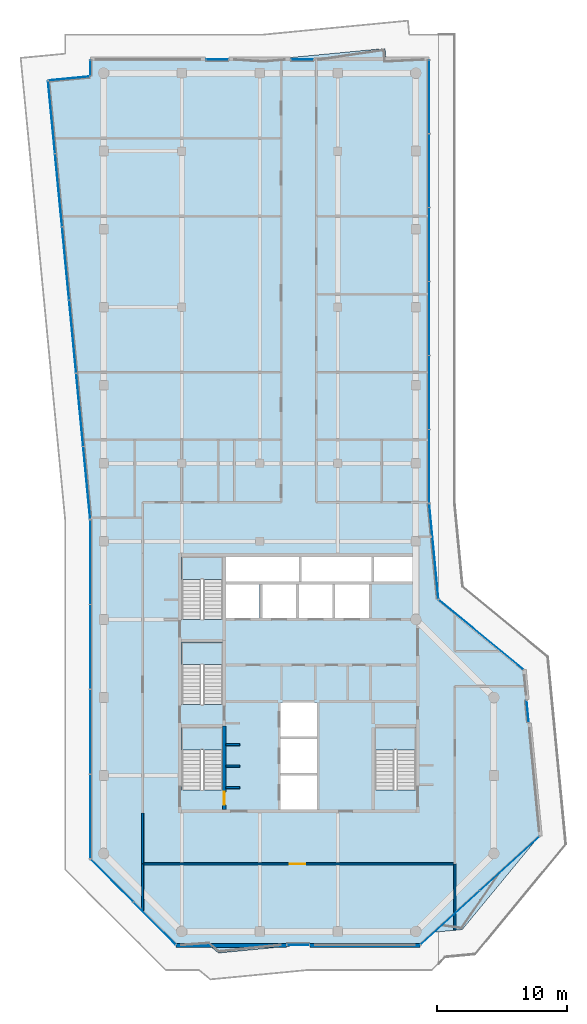
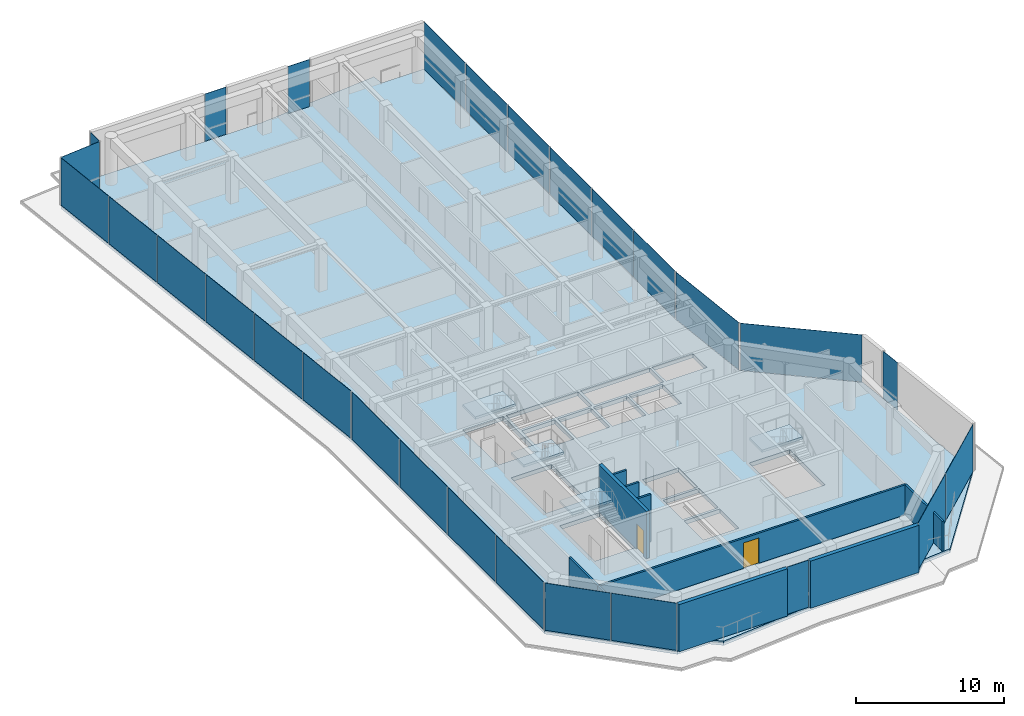
# One storey, part 17 of 22: 28 plates, 10 walls, 5 slabs, 2 doors, 2 openings, 17 elements without a shape of their own.
"""IFC4 building model written with IfcOpenShell, lengths in metres."""

from ifc_helpers import new_model, si_unit, direction, frame, frame_2d, origin, origin_2d, place, context, subcontext, project, spatial, polyline, rectangle, outline, extrude, material, layer, layer_set, type_object, element, fill, aggregate, save


model = new_model("IFC4")

# Units and contexts
model_context = context("Model", 3, precision=1e-05, world=origin(), true_north=direction((0.0, 1.0)))
body_context = subcontext(model_context, "Body", "Model", "MODEL_VIEW")
ifc_project = project(units=[si_unit("LENGTHUNIT", "METRE"), si_unit("AREAUNIT", "SQUARE_METRE"), si_unit("VOLUMEUNIT", "CUBIC_METRE"), si_unit("PLANEANGLEUNIT", "RADIAN"), si_unit("MASSUNIT", "GRAM", prefix="KILO")], contexts=[model_context])

# Site, building, storey
site_placement = place(None, origin())
site = spatial("IfcSite", under=ifc_project, at=site_placement, CompositionType="ELEMENT")
building_placement = place(site_placement, origin())
building = spatial("IfcBuilding", under=site, at=building_placement, Name="Welwitschia Terrace Campus", CompositionType="ELEMENT")
storey_placement = place(building_placement, frame((0.0, 0.0, 310.39990234375)))
storey = spatial("IfcBuildingStorey", under=building, at=storey_placement, Name="L69", CompositionType="ELEMENT", Elevation=310.39990234375)

# Curtain wall, plates
ifc_material_1 = material(Name="Bronze anodised aluminium", Category="aluminium")
ifc_layer_1 = layer(ifc_material_1, 0.1201171875)
ifc_layer_set_1 = layer_set([ifc_layer_1], Name="Bronze anodised aluminium")
curtain_wall_type = type_object("IfcCurtainWallType", Name="Curtain wall CW2 tower 6000", PredefinedType="NOTDEFINED", material=ifc_layer_set_1)
curtain_wall_1_placement = place(storey_placement, origin())
curtain_wall_1 = element("IfcCurtainWall", 1, at=curtain_wall_1_placement, inside=storey, type_object=curtain_wall_type, Name="CW L69.0.0", PredefinedType="NOTDEFINED")
ifc_material_2 = material(Name="Tinted bronze-grey glass", Category="glass")
ifc_layer_2 = layer(ifc_material_2, 0.028076171875)
ifc_layer_set_2 = layer_set([ifc_layer_2], Name="Tinted bronze-grey glass")
plate_type = type_object("IfcPlateType", Name="Glass panel 28 tinted", PredefinedType="CURTAIN_PANEL", material=ifc_layer_set_2)
plate_1_placement = place(storey_placement, frame((-1.030029296875, 24.390625, 0.000244140625), z_axis=(0.0, 0.0, 1.0), x_axis=(0.0, -1.0, 0.0)))
plate_1 = element("IfcPlate", 2, at=plate_1_placement, type_object=plate_type, Name="Panel L69.0.0.0", PredefinedType="CURTAIN_PANEL", context=body_context, shape_type="SweptSolid", body=[
    extrude(rectangle(XDim=6.43359375, YDim=0.028076171875, at=origin_2d()), origin(), (0.0, 0.0, 1.0), 3.89990234375),
])
plate_2_placement = place(storey_placement, frame((-1.030029296875, 17.882080078125, 0.000244140625), z_axis=(0.0, 0.0, 1.0), x_axis=(0.0, -1.0, 0.0)))
plate_2 = element("IfcPlate", 3, at=plate_2_placement, type_object=plate_type, Name="Panel L69.0.0.1", PredefinedType="CURTAIN_PANEL", context=body_context, shape_type="SweptSolid", body=[
    extrude(rectangle(XDim=6.463623046875, YDim=0.028076171875, at=origin_2d()), origin(), (0.0, 0.0, 1.0), 3.89990234375),
])
plate_3_placement = place(storey_placement, frame((-1.030029296875, 11.358642578125, 0.000244140625), z_axis=(0.0, 0.0, 1.0), x_axis=(0.0, -1.0, 0.0)))
plate_3 = element("IfcPlate", 4, at=plate_3_placement, type_object=plate_type, Name="Panel L69.0.0.2", PredefinedType="CURTAIN_PANEL", context=body_context, shape_type="SweptSolid", body=[
    extrude(rectangle(XDim=6.463623046875, YDim=0.028076171875, at=origin_2d()), origin(), (0.0, 0.0, 1.0), 3.89990234375),
])
plate_4_placement = place(storey_placement, frame((-1.030029296875, 4.85009765625, 0.000244140625), z_axis=(0.0, 0.0, 1.0), x_axis=(0.0, -1.0, 0.0)))
plate_4 = element("IfcPlate", 5, at=plate_4_placement, type_object=plate_type, Name="Panel L69.0.0.3", PredefinedType="CURTAIN_PANEL", context=body_context, shape_type="SweptSolid", body=[
    extrude(rectangle(XDim=6.43359375, YDim=0.028076171875, at=origin_2d()), origin(), (0.0, 0.0, 1.0), 3.89990234375),
])
aggregate(curtain_wall_1, [plate_1, plate_2, plate_3, plate_4])

curtain_wall_2_placement = place(storey_placement, origin())
curtain_wall_2 = element("IfcCurtainWall", 6, at=curtain_wall_2_placement, inside=storey, type_object=curtain_wall_type, Name="CW L69.1.0", PredefinedType="NOTDEFINED")
plate_5_placement = place(storey_placement, frame((0.63134765625, -0.088134765625, 0.000244140625), z_axis=(0.0, 0.0, 1.0), x_axis=(0.707106781187, -0.707106781187, 0.0)))
plate_5 = element("IfcPlate", 7, at=plate_5_placement, type_object=plate_type, Name="Panel L69.1.0.0", PredefinedType="CURTAIN_PANEL", context=body_context, shape_type="SweptSolid", body=[
    extrude(rectangle(XDim=4.579345703125, YDim=0.028076171875, at=origin_2d()), origin(), (0.0, 0.0, 1.0), 3.89990234375),
])
plate_6_placement = place(storey_placement, frame((3.911865234375, -3.36865234375, 0.000244140625), z_axis=(0.0, 0.0, 1.0), x_axis=(0.707106781187, -0.707106781187, 0.0)))
plate_6 = element("IfcPlate", 8, at=plate_6_placement, type_object=plate_type, Name="Panel L69.1.0.1", PredefinedType="CURTAIN_PANEL", context=body_context, shape_type="SweptSolid", body=[
    extrude(rectangle(XDim=4.579345703125, YDim=0.028076171875, at=origin_2d()), origin(), (0.0, 0.0, 1.0), 3.89990234375),
])
aggregate(curtain_wall_2, [plate_5, plate_6])

# Curtain wall, plate
curtain_wall_3_placement = place(storey_placement, origin())
curtain_wall_3 = element("IfcCurtainWall", 9, at=curtain_wall_3_placement, inside=storey, type_object=curtain_wall_type, Name="CW L69.2.S0", PredefinedType="NOTDEFINED")
plate_7_placement = place(storey_placement, frame((14.953369140625, -5.030029296875, 0.000244140625), z_axis=(0.0, 0.0, 1.0), x_axis=(1.0, 0.0, 0.0)))
plate_7 = element("IfcPlate", 10, at=plate_7_placement, type_object=plate_type, Name="Panel L69.2.S0.0", PredefinedType="CURTAIN_PANEL", context=body_context, shape_type="SweptSolid", body=[
    extrude(rectangle(XDim=1.679931640625, YDim=0.028076171875, at=origin_2d()), origin(), (0.0, 0.0, 1.0), 3.89990234375),
])
aggregate(curtain_wall_3, [plate_7])

# Curtain wall, plates
curtain_wall_4_placement = place(storey_placement, origin())
curtain_wall_4 = element("IfcCurtainWall", 11, at=curtain_wall_4_placement, inside=storey, type_object=curtain_wall_type, Name="CW L69.3.0", PredefinedType="NOTDEFINED")
plate_8_placement = place(storey_placement, frame((26.6416015625, -2.929443359375, 0.000244140625), z_axis=(0.0, 0.0, 1.0), x_axis=(0.739585904921, 0.673062173385, 0.0)))
plate_8 = element("IfcPlate", 12, at=plate_8_placement, type_object=plate_type, Name="Panel L69.3.0.0", PredefinedType="CURTAIN_PANEL", context=body_context, shape_type="SweptSolid", body=[
    extrude(rectangle(XDim=6.12158203125, YDim=0.028076171875, at=origin_2d()), origin(), (0.0, 0.0, 1.0), 3.89990234375),
])
plate_9_placement = place(storey_placement, frame((31.21337890625, 1.231201171875, 0.000244140625), z_axis=(0.0, 0.0, 1.0), x_axis=(0.739585904921, 0.673062173385, 0.0)))
plate_9 = element("IfcPlate", 13, at=plate_9_placement, type_object=plate_type, Name="Panel L69.3.0.1", PredefinedType="CURTAIN_PANEL", context=body_context, shape_type="SweptSolid", body=[
    extrude(rectangle(XDim=6.12158203125, YDim=0.028076171875, at=origin_2d()), origin(), (0.0, 0.0, 1.0), 3.89990234375),
])
aggregate(curtain_wall_4, [plate_8, plate_9])

# Curtain wall, plate
curtain_wall_5_placement = place(storey_placement, origin())
curtain_wall_5 = element("IfcCurtainWall", 14, at=curtain_wall_5_placement, inside=storey, type_object=curtain_wall_type, Name="CW L69.4.S0", PredefinedType="NOTDEFINED")
plate_10_placement = place(storey_placement, frame((32.59765625, 12.92724609375, 0.000244140625), z_axis=(0.0, 0.0, 1.0), x_axis=(-0.09584575252, 0.995396198367, 0.0)))
plate_10 = element("IfcPlate", 15, at=plate_10_placement, type_object=plate_type, Name="Panel L69.4.S0.0", PredefinedType="CURTAIN_PANEL", context=body_context, shape_type="SweptSolid", body=[
    extrude(rectangle(XDim=1.679931640625, YDim=0.028076171875, at=origin_2d()), origin(), (0.0, 0.0, 1.0), 3.89990234375),
])
aggregate(curtain_wall_5, [plate_10])

curtain_wall_6_placement = place(storey_placement, origin())
curtain_wall_6 = element("IfcCurtainWall", 16, at=curtain_wall_6_placement, inside=storey, type_object=curtain_wall_type, Name="CW L69.5.0", PredefinedType="NOTDEFINED")
plate_11_placement = place(storey_placement, frame((29.015869140625, 18.824462890625, 0.000244140625), z_axis=(0.0, 0.0, 1.0), x_axis=(-0.771624583388, 0.636078220278, 0.0)))
plate_11 = element("IfcPlate", 17, at=plate_11_placement, type_object=plate_type, Name="Panel L69.5.0.0", PredefinedType="CURTAIN_PANEL", context=body_context, shape_type="SweptSolid", body=[
    extrude(rectangle(XDim=8.365234375, YDim=0.028076171875, at=origin_2d()), origin(), (0.0, 0.0, 1.0), 3.89990234375),
])
aggregate(curtain_wall_6, [plate_11])

curtain_wall_7_placement = place(storey_placement, origin())
curtain_wall_7 = element("IfcCurtainWall", 18, at=curtain_wall_7_placement, inside=storey, type_object=curtain_wall_type, Name="CW L69.6.0", PredefinedType="NOTDEFINED")
plate_12_placement = place(storey_placement, frame((25.385986328125, 25.22119140625, 0.000244140625), z_axis=(0.0, 0.0, 1.0), x_axis=(-0.09584575252, 0.995396198367, 0.0)))
plate_12 = element("IfcPlate", 19, at=plate_12_placement, type_object=plate_type, Name="Panel L69.6.0.0", PredefinedType="CURTAIN_PANEL", context=body_context, shape_type="SweptSolid", body=[
    extrude(rectangle(XDim=7.310302734375, YDim=0.028076171875, at=origin_2d()), origin(), (0.0, 0.0, 1.0), 3.89990234375),
])
aggregate(curtain_wall_7, [plate_12])

# Curtain wall, plates
curtain_wall_8_placement = place(storey_placement, origin())
curtain_wall_8 = element("IfcCurtainWall", 20, at=curtain_wall_8_placement, inside=storey, type_object=curtain_wall_type, Name="CW L69.7.0", PredefinedType="NOTDEFINED")
plate_13_placement = place(storey_placement, frame((25.030029296875, 31.77685546875, 0.000244140625), z_axis=(0.0, 0.0, 1.0), x_axis=(0.0, 1.0, 0.0)))
plate_13 = element("IfcPlate", 21, at=plate_13_placement, type_object=plate_type, Name="Panel L69.7.0.0", PredefinedType="CURTAIN_PANEL", context=body_context, shape_type="SweptSolid", body=[
    extrude(rectangle(XDim=5.59521484375, YDim=0.028076171875, at=origin_2d()), origin(), (0.0, 0.0, 1.0), 3.89990234375),
])
plate_14_placement = place(storey_placement, frame((25.030029296875, 37.447021484375, 0.000244140625), z_axis=(0.0, 0.0, 1.0), x_axis=(0.0, 1.0, 0.0)))
plate_14 = element("IfcPlate", 22, at=plate_14_placement, type_object=plate_type, Name="Panel L69.7.0.1", PredefinedType="CURTAIN_PANEL", context=body_context, shape_type="SweptSolid", body=[
    extrude(rectangle(XDim=5.625244140625, YDim=0.028076171875, at=origin_2d()), origin(), (0.0, 0.0, 1.0), 3.89990234375),
])
plate_15_placement = place(storey_placement, frame((25.030029296875, 43.132080078125, 0.000244140625), z_axis=(0.0, 0.0, 1.0), x_axis=(0.0, 1.0, 0.0)))
plate_15 = element("IfcPlate", 23, at=plate_15_placement, type_object=plate_type, Name="Panel L69.7.0.2", PredefinedType="CURTAIN_PANEL", context=body_context, shape_type="SweptSolid", body=[
    extrude(rectangle(XDim=5.625244140625, YDim=0.028076171875, at=origin_2d()), origin(), (0.0, 0.0, 1.0), 3.89990234375),
])
plate_16_placement = place(storey_placement, frame((25.030029296875, 48.817138671875, 0.000244140625), z_axis=(0.0, 0.0, 1.0), x_axis=(0.0, 1.0, 0.0)))
plate_16 = element("IfcPlate", 24, at=plate_16_placement, type_object=plate_type, Name="Panel L69.7.0.3", PredefinedType="CURTAIN_PANEL", context=body_context, shape_type="SweptSolid", body=[
    extrude(rectangle(XDim=5.625244140625, YDim=0.028076171875, at=origin_2d()), origin(), (0.0, 0.0, 1.0), 3.89990234375),
])
plate_17_placement = place(storey_placement, frame((25.030029296875, 54.502197265625, 0.000244140625), z_axis=(0.0, 0.0, 1.0), x_axis=(0.0, 1.0, 0.0)))
plate_17 = element("IfcPlate", 25, at=plate_17_placement, type_object=plate_type, Name="Panel L69.7.0.4", PredefinedType="CURTAIN_PANEL", context=body_context, shape_type="SweptSolid", body=[
    extrude(rectangle(XDim=5.625244140625, YDim=0.028076171875, at=origin_2d()), origin(), (0.0, 0.0, 1.0), 3.89990234375),
])
plate_18_placement = place(storey_placement, frame((25.030029296875, 60.17236328125, 0.000244140625), z_axis=(0.0, 0.0, 1.0), x_axis=(0.0, 1.0, 0.0)))
plate_18 = element("IfcPlate", 26, at=plate_18_placement, type_object=plate_type, Name="Panel L69.7.0.5", PredefinedType="CURTAIN_PANEL", context=body_context, shape_type="SweptSolid", body=[
    extrude(rectangle(XDim=5.59521484375, YDim=0.028076171875, at=origin_2d()), origin(), (0.0, 0.0, 1.0), 3.89990234375),
])
aggregate(curtain_wall_8, [plate_13, plate_14, plate_15, plate_16, plate_17, plate_18])

# Curtain wall, plate
curtain_wall_9_placement = place(storey_placement, origin())
curtain_wall_9 = element("IfcCurtainWall", 27, at=curtain_wall_9_placement, inside=storey, type_object=curtain_wall_type, Name="CW L69.8.S0", PredefinedType="NOTDEFINED")
plate_19_placement = place(storey_placement, frame((15.257568359375, 63.030029296875, 0.000244140625), z_axis=(0.0, 0.0, 1.0), x_axis=(-1.0, 0.0, 0.0)))
plate_19 = element("IfcPlate", 28, at=plate_19_placement, type_object=plate_type, Name="Panel L69.8.S0.0", PredefinedType="CURTAIN_PANEL", context=body_context, shape_type="SweptSolid", body=[
    extrude(rectangle(XDim=1.679931640625, YDim=0.028076171875, at=origin_2d()), origin(), (0.0, 0.0, 1.0), 3.89990234375),
])
aggregate(curtain_wall_9, [plate_19])

curtain_wall_10_placement = place(storey_placement, origin())
curtain_wall_10 = element("IfcCurtainWall", 29, at=curtain_wall_10_placement, inside=storey, type_object=curtain_wall_type, Name="CW L69.8.S1", PredefinedType="NOTDEFINED")
plate_20_placement = place(storey_placement, frame((8.742431640625, 63.030029296875, 0.000244140625), z_axis=(0.0, 0.0, 1.0), x_axis=(-1.0, 0.0, 0.0)))
plate_20 = element("IfcPlate", 30, at=plate_20_placement, type_object=plate_type, Name="Panel L69.8.S1.0", PredefinedType="CURTAIN_PANEL", context=body_context, shape_type="SweptSolid", body=[
    extrude(rectangle(XDim=1.679931640625, YDim=0.028076171875, at=origin_2d()), origin(), (0.0, 0.0, 1.0), 3.89990234375),
])
aggregate(curtain_wall_10, [plate_20])

curtain_wall_11_placement = place(storey_placement, origin())
curtain_wall_11 = element("IfcCurtainWall", 31, at=curtain_wall_11_placement, inside=storey, type_object=curtain_wall_type, Name="CW L69.9.0", PredefinedType="NOTDEFINED")
plate_21_placement = place(storey_placement, frame((-1.030029296875, 62.3876953125, 0.000244140625), z_axis=(0.0, 0.0, 1.0), x_axis=(0.0, -1.0, 0.0)))
plate_21 = element("IfcPlate", 32, at=plate_21_placement, type_object=plate_type, Name="Panel L69.9.0.0", PredefinedType="CURTAIN_PANEL", context=body_context, shape_type="SweptSolid", body=[
    extrude(rectangle(XDim=1.164306640625, YDim=0.028076171875, at=origin_2d()), origin(), (0.0, 0.0, 1.0), 3.89990234375),
])
aggregate(curtain_wall_11, [plate_21])

curtain_wall_12_placement = place(storey_placement, origin())
curtain_wall_12 = element("IfcCurtainWall", 33, at=curtain_wall_12_placement, inside=storey, type_object=curtain_wall_type, Name="CW L69.10.0", PredefinedType="NOTDEFINED")
plate_22_placement = place(storey_placement, frame((-2.655517578125, 61.589111328125, 0.000244140625), z_axis=(0.0, 0.0, 1.0), x_axis=(-0.995396198367, -0.09584575252, 0.0)))
plate_22 = element("IfcPlate", 34, at=plate_22_placement, type_object=plate_type, Name="Panel L69.10.0.0", PredefinedType="CURTAIN_PANEL", context=body_context, shape_type="SweptSolid", body=[
    extrude(rectangle(XDim=3.146240234375, YDim=0.028076171875, at=origin_2d()), origin(), (0.0, 0.0, 1.0), 3.89990234375),
])
aggregate(curtain_wall_12, [plate_22])

# Curtain wall, plates
curtain_wall_13_placement = place(storey_placement, origin())
curtain_wall_13 = element("IfcCurtainWall", 35, at=curtain_wall_13_placement, inside=storey, type_object=curtain_wall_type, Name="CW L69.11.0", PredefinedType="NOTDEFINED")
plate_23_placement = place(storey_placement, frame((-4.0087890625, 58.603759765625, 0.000244140625), z_axis=(0.0, 0.0, 1.0), x_axis=(0.09584575252, -0.995396198367, 0.0)))
plate_23 = element("IfcPlate", 36, at=plate_23_placement, type_object=plate_type, Name="Panel L69.11.0.0", PredefinedType="CURTAIN_PANEL", context=body_context, shape_type="SweptSolid", body=[
    extrude(rectangle(XDim=5.5634765625, YDim=0.028076171875, at=origin_2d()), origin(), (0.0, 0.0, 1.0), 3.89990234375),
])
plate_24_placement = place(storey_placement, frame((-3.468505859375, 52.9912109375, 0.000244140625), z_axis=(0.0, 0.0, 1.0), x_axis=(0.09584575252, -0.995396198367, 0.0)))
plate_24 = element("IfcPlate", 37, at=plate_24_placement, type_object=plate_type, Name="Panel L69.11.0.1", PredefinedType="CURTAIN_PANEL", context=body_context, shape_type="SweptSolid", body=[
    extrude(rectangle(XDim=5.593505859375, YDim=0.028076171875, at=origin_2d()), origin(), (0.0, 0.0, 1.0), 3.89990234375),
])
plate_25_placement = place(storey_placement, frame((-2.926513671875, 47.36376953125, 0.000244140625), z_axis=(0.0, 0.0, 1.0), x_axis=(0.09584575252, -0.995396198367, 0.0)))
plate_25 = element("IfcPlate", 38, at=plate_25_placement, type_object=plate_type, Name="Panel L69.11.0.2", PredefinedType="CURTAIN_PANEL", context=body_context, shape_type="SweptSolid", body=[
    extrude(rectangle(XDim=5.593505859375, YDim=0.028076171875, at=origin_2d()), origin(), (0.0, 0.0, 1.0), 3.89990234375),
])
plate_26_placement = place(storey_placement, frame((-2.384765625, 41.736328125, 0.000244140625), z_axis=(0.0, 0.0, 1.0), x_axis=(0.09584575252, -0.995396198367, 0.0)))
plate_26 = element("IfcPlate", 39, at=plate_26_placement, type_object=plate_type, Name="Panel L69.11.0.3", PredefinedType="CURTAIN_PANEL", context=body_context, shape_type="SweptSolid", body=[
    extrude(rectangle(XDim=5.593505859375, YDim=0.028076171875, at=origin_2d()), origin(), (0.0, 0.0, 1.0), 3.89990234375),
])
plate_27_placement = place(storey_placement, frame((-1.8427734375, 36.108642578125, 0.000244140625), z_axis=(0.0, 0.0, 1.0), x_axis=(0.09584575252, -0.995396198367, 0.0)))
plate_27 = element("IfcPlate", 40, at=plate_27_placement, type_object=plate_type, Name="Panel L69.11.0.4", PredefinedType="CURTAIN_PANEL", context=body_context, shape_type="SweptSolid", body=[
    extrude(rectangle(XDim=5.593505859375, YDim=0.028076171875, at=origin_2d()), origin(), (0.0, 0.0, 1.0), 3.89990234375),
])
plate_28_placement = place(storey_placement, frame((-1.302490234375, 30.49609375, 0.000244140625), z_axis=(0.0, 0.0, 1.0), x_axis=(0.09584575252, -0.995396198367, 0.0)))
plate_28 = element("IfcPlate", 41, at=plate_28_placement, type_object=plate_type, Name="Panel L69.11.0.5", PredefinedType="CURTAIN_PANEL", context=body_context, shape_type="SweptSolid", body=[
    extrude(rectangle(XDim=5.5634765625, YDim=0.028076171875, at=origin_2d()), origin(), (0.0, 0.0, 1.0), 3.89990234375),
])
aggregate(curtain_wall_13, [plate_23, plate_24, plate_25, plate_26, plate_27, plate_28])

# Stair, slab
ifc_material_3 = material(Name="Concrete C40/50", Category="concrete")
stair_type = type_object("IfcStairType", Name="Stair 24R 175 W1500", PredefinedType="HALF_TURN_STAIR", material=ifc_material_3)
stair_1_placement = place(storey_placement, origin())
stair_1 = element("IfcStair", 42, at=stair_1_placement, inside=storey, type_object=stair_type, Name="L69 Exit stair S1", PredefinedType="HALF_TURN_STAIR")
ifc_material_4 = material(Name="Concrete C40/50", Category="concrete")
ifc_layer_3 = layer(ifc_material_4, 0.199951171875)
ifc_layer_set_3 = layer_set([ifc_layer_3], Name="Concrete C40/50")
slab_type_1 = type_object("IfcSlabType", Name="Stair landing RC", PredefinedType="LANDING", material=ifc_layer_set_3)
slab_1_placement = place(storey_placement, frame((0.0, 0.0, 1.900146484375)))
slab_1 = element("IfcSlab", 43, at=slab_1_placement, type_object=slab_type_1, Name="S1 landing 1", PredefinedType="LANDING", context=body_context, shape_type="SweptSolid", body=[
    extrude(outline(polyline([(9.14990234375, 9.97998046875), (9.14990234375, 11.699951171875), (6.0, 11.699951171875), (6.0, 9.97998046875), (9.14990234375, 9.97998046875)])), origin(), (0.0, 0.0, 1.0), 0.199951171875),
])
aggregate(stair_1, [slab_1])

stair_2_placement = place(storey_placement, origin())
stair_2 = element("IfcStair", 44, at=stair_2_placement, inside=storey, type_object=stair_type, Name="L69 Exit stair S3", PredefinedType="HALF_TURN_STAIR")
slab_2_placement = place(storey_placement, frame((0.0, 0.0, 1.900146484375)))
slab_2 = element("IfcSlab", 45, at=slab_2_placement, type_object=slab_type_1, Name="S3 landing 1", PredefinedType="LANDING", context=body_context, shape_type="SweptSolid", body=[
    extrude(outline(polyline([(9.14990234375, 16.530029296875), (9.14990234375, 18.25), (6.0, 18.25), (6.0, 16.530029296875), (9.14990234375, 16.530029296875)])), origin(), (0.0, 0.0, 1.0), 0.199951171875),
])
aggregate(stair_2, [slab_2])

stair_3_placement = place(storey_placement, origin())
stair_3 = element("IfcStair", 46, at=stair_3_placement, inside=storey, type_object=stair_type, Name="L69 Exit stair S4", PredefinedType="HALF_TURN_STAIR")
slab_3_placement = place(storey_placement, frame((0.0, 0.0, 1.900146484375)))
slab_3 = element("IfcSlab", 47, at=slab_3_placement, type_object=slab_type_1, Name="S4 landing 1", PredefinedType="LANDING", context=body_context, shape_type="SweptSolid", body=[
    extrude(outline(polyline([(9.14990234375, 23.080078125), (9.14990234375, 24.800048828125), (6.0, 24.800048828125), (6.0, 23.080078125), (9.14990234375, 23.080078125)])), origin(), (0.0, 0.0, 1.0), 0.199951171875),
])
aggregate(stair_3, [slab_3])

stair_4_placement = place(storey_placement, origin())
stair_4 = element("IfcStair", 48, at=stair_4_placement, inside=storey, type_object=stair_type, Name="L69 Exit stair S2", PredefinedType="HALF_TURN_STAIR")
slab_4_placement = place(storey_placement, frame((0.0, 0.0, 1.900146484375)))
slab_4 = element("IfcSlab", 49, at=slab_4_placement, type_object=slab_type_1, Name="S2 landing 1", PredefinedType="LANDING", context=body_context, shape_type="SweptSolid", body=[
    extrude(outline(polyline([(24.0, 9.97998046875), (24.0, 11.699951171875), (20.85009765625, 11.699951171875), (20.85009765625, 9.97998046875), (24.0, 9.97998046875)])), origin(), (0.0, 0.0, 1.0), 0.199951171875),
])
aggregate(stair_4, [slab_4])

# Slab
ifc_material_5 = material(Name="Concrete C40/50", Category="concrete")
ifc_layer_4 = layer(ifc_material_5, 0.35009765625)
ifc_layer_set_4 = layer_set([ifc_layer_4], Name="Concrete C40/50")
slab_type_2 = type_object("IfcSlabType", Name="Suspended floor slab 350", PredefinedType="FLOOR", material=ifc_layer_set_4)
slab_5_placement = place(storey_placement, frame((0.0, 0.0, -0.349853515625)))
element("IfcSlab", 50, at=slab_5_placement, inside=storey, type_object=slab_type_2, Name="Floor slab L69", PredefinedType="FLOOR", context=body_context, shape_type="SweptSolid", body=[
    extrude(outline(polyline([(-4.24853515625, 61.405517578125), (-1.0, 61.71826171875), (-1.0, 63.0), (12.310546875, 63.0), (21.6318359375, 63.8974609375), (21.71826171875, 63.0), (25.0, 63.0), (25.0, 28.917724609375), (25.71337890625, 21.5078125), (32.260986328125, 16.110595703125), (33.490478515625, 3.341064453125), (27.566162109375, -3.845458984375), (25.355712890625, -4.058349609375), (24.414306640625, -5.0), (15.57666015625, -5.0), (8.824462890625, -5.650146484375), (8.035888671875, -5.0), (5.585693359375, -5.0), (-1.0, 1.585693359375), (-1.0, 27.6689453125), (-4.24853515625, 61.405517578125)]), holes=[polyline([(13.60009765625, 8.0), (13.60009765625, 5.39990234375), (16.39990234375, 5.39990234375), (16.39990234375, 8.0), (13.60009765625, 8.0)]), polyline([(9.14990234375, 11.699951171875), (6.0, 11.699951171875), (6.0, 6.902099609375), (9.14990234375, 6.902099609375), (9.14990234375, 11.699951171875)]), polyline([(9.14990234375, 18.25), (6.0, 18.25), (6.0, 13.451904296875), (9.14990234375, 13.451904296875), (9.14990234375, 18.25)]), polyline([(12.0, 22.699951171875), (9.39990234375, 22.699951171875), (9.39990234375, 20.10009765625), (12.0, 20.10009765625), (12.0, 22.699951171875)]), polyline([(14.800048828125, 22.699951171875), (12.199951171875, 22.699951171875), (12.199951171875, 20.10009765625), (14.800048828125, 20.10009765625), (14.800048828125, 22.699951171875)]), polyline([(9.14990234375, 24.800048828125), (6.0, 24.800048828125), (6.0, 20.001953125), (9.14990234375, 20.001953125), (9.14990234375, 24.800048828125)]), polyline([(15.0, 24.800048828125), (9.39990234375, 24.800048828125), (9.39990234375, 22.89990234375), (15.0, 22.89990234375), (15.0, 24.800048828125)]), polyline([(20.85009765625, 11.699951171875), (20.85009765625, 6.902099609375), (24.0, 6.902099609375), (24.0, 11.699951171875), (20.85009765625, 11.699951171875)]), polyline([(16.39990234375, 10.800048828125), (13.60009765625, 10.800048828125), (13.60009765625, 8.199951171875), (16.39990234375, 8.199951171875), (16.39990234375, 10.800048828125)]), polyline([(16.39990234375, 13.60009765625), (13.60009765625, 13.60009765625), (13.60009765625, 11.0), (16.39990234375, 11.0), (16.39990234375, 13.60009765625)]), polyline([(17.60009765625, 22.699951171875), (15.0, 22.699951171875), (15.0, 20.10009765625), (17.60009765625, 20.10009765625), (17.60009765625, 22.699951171875)]), polyline([(20.39990234375, 22.699951171875), (17.800048828125, 22.699951171875), (17.800048828125, 20.10009765625), (20.39990234375, 20.10009765625), (20.39990234375, 22.699951171875)]), polyline([(20.60009765625, 24.800048828125), (15.199951171875, 24.800048828125), (15.199951171875, 22.89990234375), (20.60009765625, 22.89990234375), (20.60009765625, 24.800048828125)]), polyline([(24.0, 24.800048828125), (20.800048828125, 24.800048828125), (20.800048828125, 22.89990234375), (24.0, 22.89990234375), (24.0, 24.800048828125)])]), origin(), (0.0, 0.0, 1.0), 0.349853515625),
])

# Walls
ifc_material_6 = material(Name="Concrete C50/60", Category="concrete")
ifc_layer_5 = layer(ifc_material_6, 0.14990234375)
ifc_layer_set_5 = layer_set([ifc_layer_5], Name="Concrete C50/60")
wall_type_1 = type_object("IfcWallType", Name="Core wall 150 Concrete C50/60", PredefinedType="SHEAR", material=ifc_layer_set_5)
for number, where, z_axis, x_axis, name in (
    (51, (9.39990234375, 7.074951171875, 0.0), (0.0, 0.0, 1.0), (1.0, 0.0, 0.0), "Core wall"),
    (52, (9.39990234375, 8.72509765625, 0.0), (0.0, 0.0, 1.0), (1.0, 0.0, 0.0), "Core wall"),
    (53, (9.39990234375, 10.375, 0.0), (0.0, 0.0, 1.0), (1.0, 0.0, 0.0), "Core wall"),
):
    element("IfcWall", number, at=place(storey_placement, frame(where, z_axis=z_axis, x_axis=x_axis)), inside=storey, type_object=wall_type_1, Name=name, PredefinedType="SHEAR", context=body_context, shape_type="SweptSolid", body=[
        extrude(rectangle(XDim=1.050048828125, YDim=0.14990234375, at=frame_2d((0.52490234375, 0.0))), origin(), (0.0, 0.0, 1.0), 3.900146484375),
    ])

# Wall, opening, door
ifc_material_7 = material(Name="Concrete C50/60", Category="concrete")
ifc_layer_6 = layer(ifc_material_7, 0.25)
ifc_layer_set_6 = layer_set([ifc_layer_6], Name="Concrete C50/60")
wall_type_2 = type_object("IfcWallType", Name="Core wall 250 Concrete C50/60", PredefinedType="SHEAR", material=ifc_layer_set_6)
wall_1_placement = place(storey_placement, frame((9.27490234375, 11.824951171875, 0.0), z_axis=(0.0, 0.0, 1.0), x_axis=(0.0, -1.0, 0.0)))
wall_1 = element("IfcWall", 54, at=wall_1_placement, inside=storey, type_object=wall_type_2, Name="Core wall", PredefinedType="SHEAR", context=body_context, shape_type="SweptSolid", body=[
    extrude(rectangle(XDim=6.425048828125, YDim=0.25, at=frame_2d((3.21240234375, 0.0))), origin(), (0.0, 0.0, 1.0), 3.900146484375),
])
opening_1_placement = place(wall_1_placement, frame((5.074951171875, 0.0, 0.0)))
opening_1 = element("IfcOpeningElement", 55, at=opening_1_placement, cuts=wall_1, Name="Opening DS10", PredefinedType="OPENING", context=body_context, shape_type="SweptSolid", body=[
    extrude(rectangle(XDim=1.0, YDim=2.10009765625, at=frame_2d((0.5, 1.050048828125))), frame((0.0, 0.135009765625, 0.0), z_axis=(0.0, -1.0, 0.0), x_axis=(1.0, 0.0, 0.0)), (0.0, 0.0, 1.0), 0.27001953125),
])
ifc_material_8 = material(Name="Steel S275", Category="steel")
door_type_1 = type_object("IfcDoorType", Name="Core door DS10", OperationType="SINGLE_SWING_LEFT", PredefinedType="DOOR", material=ifc_material_8)
door_1_placement = place(opening_1_placement, origin())
door_1 = element("IfcDoor", 56, at=door_1_placement, inside=storey, type_object=door_type_1, Name="Door S1-FL", OperationType="SINGLE_SWING_RIGHT", OverallHeight=2.10009765625, OverallWidth=1.0, PredefinedType="DOOR", context=body_context, shape_type="SweptSolid", body=[
    extrude(rectangle(XDim=1.0, YDim=2.10009765625, at=frame_2d((0.5, 1.050048828125))), frame((0.0, 0.02490234375, 0.0), z_axis=(0.0, -1.0, 0.0), x_axis=(1.0, 0.0, 0.0)), (0.0, 0.0, 1.0), 0.050048828125),
])
fill(opening_1, door_1)

# Walls
ifc_material_9 = material(Name="Gypsum board on steel studs", Category="steel")
ifc_layer_7 = layer(ifc_material_9, 0.14990234375)
ifc_layer_set_7 = layer_set([ifc_layer_7], Name="Gypsum board on steel studs")
wall_type_3 = type_object("IfcWallType", Name="Corridor partition 150 EI 30", PredefinedType="PARTITIONING", material=ifc_layer_set_7)
wall_2_placement = place(storey_placement, frame((3.0, -2.389892578125, 0.0), z_axis=(0.0, 0.0, 1.0), x_axis=(0.0, 1.0, 0.0)))
element("IfcWall", 57, at=wall_2_placement, inside=storey, type_object=wall_type_3, Name="Partition", PredefinedType="PARTITIONING", context=body_context, shape_type="SweptSolid", body=[
    extrude(rectangle(XDim=3.58984375, YDim=0.14990234375, at=frame_2d((1.794921875, 0.0))), origin(), (0.0, 0.0, 1.0), 2.47998046875),
])
wall_3_placement = place(storey_placement, frame((3.0, 1.199951171875, 0.0), z_axis=(0.0, 0.0, 1.0), x_axis=(0.0, 1.0, 0.0)))
element("IfcWall", 58, at=wall_3_placement, inside=storey, type_object=wall_type_3, Name="Partition", PredefinedType="PARTITIONING", context=body_context, shape_type="SweptSolid", body=[
    extrude(rectangle(XDim=3.900146484375, YDim=0.14990234375, at=frame_2d((1.9501953125, 0.0))), origin(), (0.0, 0.0, 1.0), 2.47998046875),
])
wall_4_placement = place(storey_placement, frame((27.0, -3.8798828125, 0.0), z_axis=(0.0, 0.0, 1.0), x_axis=(0.0, 1.0, 0.0)))
element("IfcWall", 59, at=wall_4_placement, inside=storey, type_object=wall_type_3, Name="Partition", PredefinedType="PARTITIONING", context=body_context, shape_type="SweptSolid", body=[
    extrude(rectangle(XDim=5.079833984375, YDim=0.14990234375, at=frame_2d((2.5400390625, 0.0))), origin(), (0.0, 0.0, 1.0), 2.47998046875),
])

# Wall, opening, door
wall_5_placement = place(storey_placement, frame((27.0, 1.199951171875, 0.0), z_axis=(0.0, 0.0, 1.0), x_axis=(-1.0, 0.0, 0.0)))
wall_5 = element("IfcWall", 60, at=wall_5_placement, inside=storey, type_object=wall_type_3, Name="Partition", PredefinedType="PARTITIONING", context=body_context, shape_type="SweptSolid", body=[
    extrude(rectangle(XDim=24.0, YDim=0.14990234375, at=frame_2d((12.0, 0.0))), origin(), (0.0, 0.0, 1.0), 2.47998046875),
])
opening_2_placement = place(wall_5_placement, frame((11.5, 0.0, 0.0)))
opening_2 = element("IfcOpeningElement", 61, at=opening_2_placement, cuts=wall_5, Name="Opening DI12", PredefinedType="OPENING", context=body_context, shape_type="SweptSolid", body=[
    extrude(rectangle(XDim=1.199951171875, YDim=2.10009765625, at=frame_2d((0.60009765625, 1.050048828125))), frame((0.0, 0.0849609375, 0.0), z_axis=(0.0, -1.0, 0.0), x_axis=(1.0, 0.0, 0.0)), (0.0, 0.0, 1.0), 0.169921875),
])
ifc_material_10 = material(Name="Timber veneered door", Category="wood")
door_type_2 = type_object("IfcDoorType", Name="Interior door DI12", OperationType="NOTDEFINED", PredefinedType="DOOR", material=ifc_material_10)
door_2_placement = place(opening_2_placement, origin())
door_2 = element("IfcDoor", 62, at=door_2_placement, inside=storey, type_object=door_type_2, Name="Door L69 1227", OperationType="SINGLE_SWING_RIGHT", OverallHeight=2.10009765625, OverallWidth=1.199951171875, PredefinedType="DOOR", context=body_context, shape_type="SweptSolid", body=[
    extrude(rectangle(XDim=1.199951171875, YDim=2.10009765625, at=frame_2d((0.60009765625, 1.050048828125))), frame((0.0, 0.02490234375, 0.0), z_axis=(0.0, -1.0, 0.0), x_axis=(1.0, 0.0, 0.0)), (0.0, 0.0, 1.0), 0.050048828125),
])
fill(opening_2, door_2)

# Walls
ifc_material_11 = material(Name="Concrete C40/50", Category="concrete")
ifc_layer_8 = layer(ifc_material_11, 0.300048828125)
ifc_layer_set_8 = layer_set([ifc_layer_8], Name="Concrete C40/50")
wall_type_4 = type_object("IfcWallType", Name="Mass wall 300", PredefinedType="SOLIDWALL", material=ifc_layer_set_8)
for number, where, z_axis, x_axis, name in (
    (63, (5.573486328125, -5.07958984375, 0.0), (0.0, 0.0, 1.0), (1.0, 0.0, 0.0), "Mass wall L69.2.0"),
    (64, (15.853515625, -5.080078125, 0.0), (0.0, 0.0, 1.0), (1.0, 0.0, 0.0), "Mass wall L69.2.1"),
):
    element("IfcWall", number, at=place(storey_placement, frame(where, z_axis=z_axis, x_axis=x_axis)), inside=storey, type_object=wall_type_4, Name=name, PredefinedType="SOLIDWALL", context=body_context, shape_type="SweptSolid", body=[
        extrude(rectangle(XDim=8.47998046875, YDim=0.300048828125, at=frame_2d((4.239990234375, 0.0))), origin(), (0.0, 0.0, 1.0), 3.900146484375),
    ])

save(model, "model.ifc")
